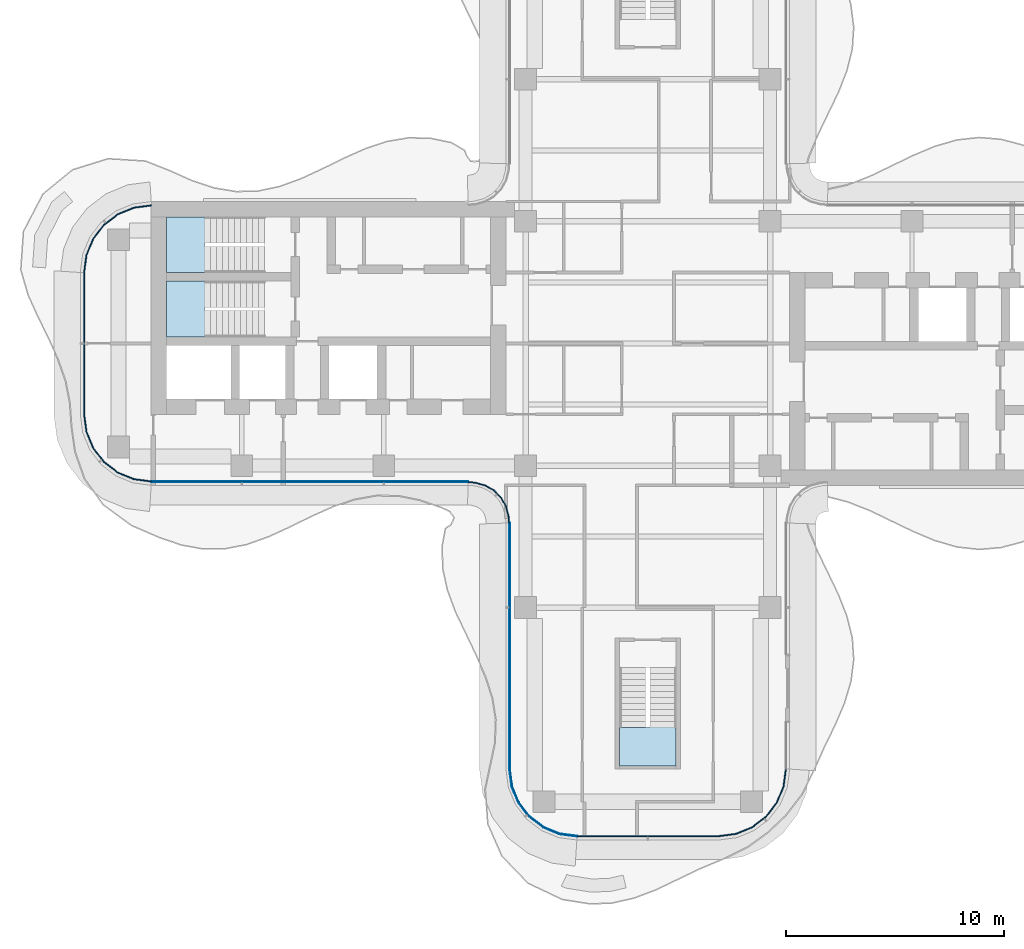
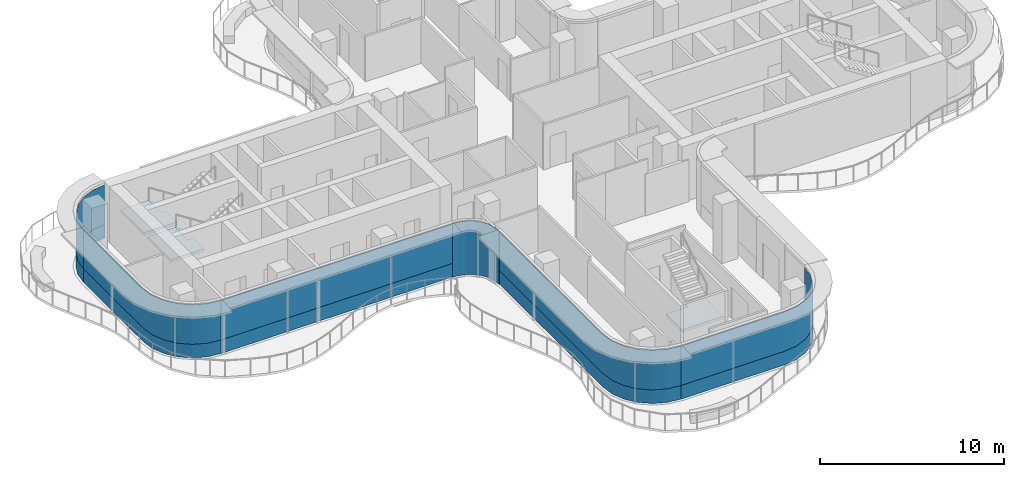
# One storey, part 8 of 16: 11 plates, 3 slabs, 9 elements without a shape of their own.
"""IFC4 building model written with IfcOpenShell, lengths in metres."""

from ifc_helpers import new_model, si_unit, direction, frame, origin, place, context, subcontext, project, spatial, polyline, outline, extrude, source, transform, mapped, material, layer, layer_set, type_object, element, aggregate, save


model = new_model("IFC4")

# Units and contexts
model_context = context("Model", 3, precision=1e-05, world=origin(), true_north=direction((0.0, 1.0)))
body_context = subcontext(model_context, "Body", "Model", "MODEL_VIEW")
ifc_project = project(units=[si_unit("LENGTHUNIT", "METRE"), si_unit("AREAUNIT", "SQUARE_METRE"), si_unit("VOLUMEUNIT", "CUBIC_METRE"), si_unit("PLANEANGLEUNIT", "RADIAN"), si_unit("MASSUNIT", "GRAM", prefix="KILO")], contexts=[model_context])

# Site, building, storey
site_placement = place(None, origin())
site = spatial("IfcSite", under=ifc_project, at=site_placement, CompositionType="ELEMENT")
building_placement = place(site_placement, origin())
building = spatial("IfcBuilding", under=site, at=building_placement, Name="Trellis Farm Tower", CompositionType="ELEMENT")
storey_placement = place(building_placement, frame((0.0, 0.0, 318.39990234375)))
storey = spatial("IfcBuildingStorey", under=building, at=storey_placement, Name="L72", CompositionType="ELEMENT", Elevation=318.39990234375)

# Stair, slab
ifc_material_1 = material(Name="Concrete C50/60", Category="concrete")
stair_type = type_object("IfcStairType", Name="CORE EXIT STAIR 22 RISERS 177 MM", PredefinedType="HALF_TURN_STAIR", material=ifc_material_1)
placement_1 = place(storey_placement, origin())
stair_1 = element("IfcStair", 1, at=placement_1, inside=storey, type_object=stair_type, Name="Exit stair S", PredefinedType="HALF_TURN_STAIR")
ifc_layer_1 = layer(ifc_material_1, 0.18994140625)
ifc_layer_set_1 = layer_set([ifc_layer_1], Name="CORE STAIR LANDING 190 CONCRETE C50/60")
slab_type = type_object("IfcSlabType", Name="CORE STAIR LANDING 190 CONCRETE C50/60", PredefinedType="LANDING", material=ifc_layer_set_1)
shared_shape_1 = source(origin(), body_context, "Body", "SweptSolid", [
    extrude(outline(polyline([(1.300048828125, -19.35009765625), (-1.300048828125, -19.35009765625), (-1.300048828125, -17.60009765625), (-1.300048828125, -17.590087890625), (-0.10009765625, -17.590087890625), (-0.10009765625, -17.60009765625), (0.10009765625, -17.60009765625), (0.10009765625, -17.27197265625), (1.300048828125, -17.27197265625), (1.300048828125, -17.60009765625), (1.300048828125, -19.35009765625)])), origin(), (0.0, 0.0, 1.0), 0.190185546875),
])
placement_2 = place(storey_placement, frame((0.0, 0.0, 1.760009765625)))
slab_1 = element("IfcSlab", 2, at=placement_2, type_object=slab_type, Name="STS landing 1", PredefinedType="LANDING", context=body_context, shape_type="MappedRepresentation", body=[
    mapped(shared_shape_1, transform((0.0, 0.0, 0.0))),
])
aggregate(stair_1, [slab_1])

stair_2 = element("IfcStair", 3, at=placement_1, inside=storey, type_object=stair_type, Name="Exit stair W1", PredefinedType="HALF_TURN_STAIR")
shared_shape_2 = source(origin(), body_context, "Body", "SweptSolid", [
    extrude(outline(polyline([(-19.971923828125, 4.449951171875), (-19.971923828125, 3.25), (-20.300048828125, 3.25), (-22.050048828125, 3.25), (-22.050048828125, 5.800048828125), (-20.300048828125, 5.800048828125), (-20.2900390625, 5.800048828125), (-20.2900390625, 4.60009765625), (-20.300048828125, 4.60009765625), (-20.300048828125, 4.449951171875), (-19.971923828125, 4.449951171875)])), origin(), (0.0, 0.0, 1.0), 0.190185546875),
])
slab_2 = element("IfcSlab", 4, at=placement_2, type_object=slab_type, Name="STW1 landing 1", PredefinedType="LANDING", context=body_context, shape_type="MappedRepresentation", body=[
    mapped(shared_shape_2, transform((0.0, 0.0, 0.0))),
])
aggregate(stair_2, [slab_2])

stair_3 = element("IfcStair", 5, at=placement_1, inside=storey, type_object=stair_type, Name="Exit stair W2", PredefinedType="HALF_TURN_STAIR")
shared_shape_3 = source(origin(), body_context, "Body", "SweptSolid", [
    extrude(outline(polyline([(-19.971923828125, 1.5), (-19.971923828125, 0.300048828125), (-20.300048828125, 0.300048828125), (-22.050048828125, 0.300048828125), (-22.050048828125, 2.85009765625), (-20.300048828125, 2.85009765625), (-20.2900390625, 2.85009765625), (-20.2900390625, 1.64990234375), (-20.300048828125, 1.64990234375), (-20.300048828125, 1.5), (-19.971923828125, 1.5)])), origin(), (0.0, 0.0, 1.0), 0.190185546875),
])
slab_3 = element("IfcSlab", 6, at=placement_2, type_object=slab_type, Name="STW2 landing 1", PredefinedType="LANDING", context=body_context, shape_type="MappedRepresentation", body=[
    mapped(shared_shape_3, transform((0.0, 0.0, 0.0))),
])
aggregate(stair_3, [slab_3])

# Curtain wall, plate
ifc_material_2 = material(Name="Aluminium and glass curtain wall", Category="aluminium")
ifc_layer_2 = layer(ifc_material_2, 0.166015625)
ifc_layer_set_2 = layer_set([ifc_layer_2], Name="WINTER GARDEN CURTAIN WALL CW3")
curtain_wall_type_1 = type_object("IfcCurtainWallType", Name="WINTER GARDEN CURTAIN WALL CW3", PredefinedType="NOTDEFINED", material=ifc_layer_set_2)
curtain_wall_1 = element("IfcCurtainWall", 7, at=placement_1, inside=storey, type_object=curtain_wall_type_1, Name="CW3 001", PredefinedType="NOTDEFINED")
ifc_material_3 = material(Name="Clear insulated glass", Category="glass")
ifc_layer_3 = layer(ifc_material_3, 0.0458984375)
ifc_layer_set_3 = layer_set([ifc_layer_3], Name="CW3 GLASS PANEL 46")
plate_type_1 = type_object("IfcPlateType", Name="CW3 GLASS PANEL 46", PredefinedType="CURTAIN_PANEL", material=ifc_layer_set_3)
shared_shape_4 = source(origin(), body_context, "Body", "SweptSolid", [
    extrude(outline(polyline([(-8.2275390625, -6.3798828125), (-8.0078125, -6.394287109375), (-7.89208984375, -6.40966796875), (-7.462158203125, -6.52490234375), (-7.070556640625, -6.7509765625), (-6.7509765625, -7.070556640625), (-6.52490234375, -7.462158203125), (-6.40966796875, -7.89208984375), (-6.394287109375, -8.0078125), (-6.3798828125, -8.2275390625), (-6.333984375, -8.22607421875), (-6.3486328125, -8.003173828125), (-6.364501953125, -7.883056640625), (-6.48193359375, -7.4443359375), (-6.714111328125, -7.04248046875), (-7.04248046875, -6.714111328125), (-7.4443359375, -6.48193359375), (-7.883056640625, -6.364501953125), (-8.003173828125, -6.3486328125), (-8.22607421875, -6.333984375), (-8.2275390625, -6.3798828125)])), origin(), (0.0, 0.0, 1.0), 3.550048828125),
])
plate_1 = element("IfcPlate", 8, at=placement_1, type_object=plate_type_1, Name="PL3 001", PredefinedType="CURTAIN_PANEL", context=body_context, shape_type="MappedRepresentation", body=[
    mapped(shared_shape_4, transform((0.0, 0.0, 0.0))),
])
aggregate(curtain_wall_1, [plate_1])

# Curtain wall, plates
ifc_layer_4 = layer(ifc_material_2, 0.18994140625)
ifc_layer_set_4 = layer_set([ifc_layer_4], Name="RIBBON CURTAIN WALL CW1")
curtain_wall_type_2 = type_object("IfcCurtainWallType", Name="RIBBON CURTAIN WALL CW1", PredefinedType="NOTDEFINED", material=ifc_layer_set_4)
curtain_wall_2 = element("IfcCurtainWall", 9, at=placement_1, inside=storey, type_object=curtain_wall_type_2, Name="CW1 002", PredefinedType="NOTDEFINED")
ifc_layer_5 = layer(ifc_material_3, 0.0400390625)
ifc_layer_set_5 = layer_set([ifc_layer_5], Name="CW1 GLASS PANEL 40")
plate_type_2 = type_object("IfcPlateType", Name="CW1 GLASS PANEL 40", PredefinedType="CURTAIN_PANEL", material=ifc_layer_set_5)
shared_shape_5 = source(origin(), body_context, "Body", "SweptSolid", [
    extrude(outline(polyline([(-6.35009765625, -8.2265625), (-6.35009765625, -19.490234375), (-6.2431640625, -20.302001953125), (-5.93359375, -21.04931640625), (-5.441162109375, -21.691162109375), (-4.79931640625, -22.18359375), (-4.052001953125, -22.4931640625), (-3.240234375, -22.60009765625), (-3.237548828125, -22.56005859375), (-4.04150390625, -22.4541015625), (-4.779296875, -22.148681640625), (-5.41259765625, -21.66259765625), (-5.898681640625, -21.029296875), (-6.2041015625, -20.29150390625), (-6.31005859375, -19.487548828125), (-6.31005859375, -8.22509765625), (-6.35009765625, -8.2265625)])), origin(), (0.0, 0.0, 1.0), 2.619873046875),
])
placement_3 = place(storey_placement, frame((0.0, 0.0, 0.900146484375)))
plate_2 = element("IfcPlate", 10, at=placement_3, type_object=plate_type_2, Name="PL1 002", PredefinedType="CURTAIN_PANEL", context=body_context, shape_type="MappedRepresentation", body=[
    mapped(shared_shape_5, transform((0.0, 0.0, 0.0))),
])
ifc_material_4 = material(Name="Sandstone faced insulated panel", Category="masonry")
ifc_layer_6 = layer(ifc_material_4, 0.050048828125)
ifc_layer_set_6 = layer_set([ifc_layer_6], Name="CW1 STONE SPANDREL PANEL 50")
plate_type_3 = type_object("IfcPlateType", Name="CW1 STONE SPANDREL PANEL 50", PredefinedType="CURTAIN_PANEL", material=ifc_layer_set_6)
shared_shape_6 = source(origin(), body_context, "Body", "SweptSolid", [
    extrude(outline(polyline([(-6.35009765625, -8.2265625), (-6.35009765625, -19.490234375), (-6.2431640625, -20.302001953125), (-5.93359375, -21.04931640625), (-5.441162109375, -21.691162109375), (-4.79931640625, -22.18359375), (-4.052001953125, -22.4931640625), (-3.240234375, -22.60009765625), (-3.23681640625, -22.550048828125), (-4.0390625, -22.4443359375), (-4.774169921875, -22.139892578125), (-5.405517578125, -21.655517578125), (-5.889892578125, -21.024169921875), (-6.1943359375, -20.2890625), (-6.300048828125, -19.48681640625), (-6.300048828125, -8.224853515625), (-6.35009765625, -8.2265625)])), origin(), (0.0, 0.0, 1.0), 0.900146484375),
])
plate_3 = element("IfcPlate", 11, at=placement_1, type_object=plate_type_3, Name="PS1 002", PredefinedType="CURTAIN_PANEL", context=body_context, shape_type="MappedRepresentation", body=[
    mapped(shared_shape_6, transform((0.0, 0.0, 0.0))),
])
aggregate(curtain_wall_2, [plate_2, plate_3])

curtain_wall_3 = element("IfcCurtainWall", 12, at=placement_1, inside=storey, type_object=curtain_wall_type_2, Name="CW1 003", PredefinedType="NOTDEFINED")
shared_shape_7 = source(origin(), body_context, "Body", "SweptSolid", [
    extrude(outline(polyline([(-3.240234375, -22.60009765625), (3.240234375, -22.60009765625), (4.052001953125, -22.4931640625), (4.79931640625, -22.18359375), (5.441162109375, -21.691162109375), (5.93359375, -21.04931640625), (6.2431640625, -20.302001953125), (6.35009765625, -19.490234375), (6.31005859375, -19.487548828125), (6.2041015625, -20.29150390625), (5.898681640625, -21.029296875), (5.41259765625, -21.66259765625), (4.779296875, -22.148681640625), (4.04150390625, -22.4541015625), (3.237548828125, -22.56005859375), (-3.237548828125, -22.56005859375), (-3.240234375, -22.60009765625)])), origin(), (0.0, 0.0, 1.0), 2.619873046875),
])
plate_4 = element("IfcPlate", 13, at=placement_3, type_object=plate_type_2, Name="PL1 003", PredefinedType="CURTAIN_PANEL", context=body_context, shape_type="MappedRepresentation", body=[
    mapped(shared_shape_7, transform((0.0, 0.0, 0.0))),
])
shared_shape_8 = source(origin(), body_context, "Body", "SweptSolid", [
    extrude(outline(polyline([(-3.240234375, -22.60009765625), (3.240234375, -22.60009765625), (4.052001953125, -22.4931640625), (4.79931640625, -22.18359375), (5.441162109375, -21.691162109375), (5.93359375, -21.04931640625), (6.2431640625, -20.302001953125), (6.35009765625, -19.490234375), (6.300048828125, -19.48681640625), (6.1943359375, -20.2890625), (5.889892578125, -21.024169921875), (5.405517578125, -21.655517578125), (4.774169921875, -22.139892578125), (4.0390625, -22.4443359375), (3.23681640625, -22.550048828125), (-3.23681640625, -22.550048828125), (-3.240234375, -22.60009765625)])), origin(), (0.0, 0.0, 1.0), 0.900146484375),
])
plate_5 = element("IfcPlate", 14, at=placement_1, type_object=plate_type_3, Name="PS1 003", PredefinedType="CURTAIN_PANEL", context=body_context, shape_type="MappedRepresentation", body=[
    mapped(shared_shape_8, transform((0.0, 0.0, 0.0))),
])
aggregate(curtain_wall_3, [plate_4, plate_5])

curtain_wall_4 = element("IfcCurtainWall", 15, at=placement_1, inside=storey, type_object=curtain_wall_type_2, Name="CW1 001", PredefinedType="NOTDEFINED")
shared_shape_9 = source(origin(), body_context, "Body", "SweptSolid", [
    extrude(outline(polyline([(-22.740234375, -6.35009765625), (-8.2265625, -6.35009765625), (-8.22509765625, -6.31005859375), (-22.737548828125, -6.31005859375), (-22.740234375, -6.35009765625)])), origin(), (0.0, 0.0, 1.0), 2.619873046875),
])
plate_6 = element("IfcPlate", 16, at=placement_3, type_object=plate_type_2, Name="PL1 001", PredefinedType="CURTAIN_PANEL", context=body_context, shape_type="MappedRepresentation", body=[
    mapped(shared_shape_9, transform((0.0, 0.0, 0.0))),
])
shared_shape_10 = source(origin(), body_context, "Body", "SweptSolid", [
    extrude(outline(polyline([(-22.740234375, -6.35009765625), (-8.2265625, -6.35009765625), (-8.224853515625, -6.300048828125), (-22.73681640625, -6.300048828125), (-22.740234375, -6.35009765625)])), origin(), (0.0, 0.0, 1.0), 0.900146484375),
])
plate_7 = element("IfcPlate", 17, at=placement_1, type_object=plate_type_3, Name="PS1 001", PredefinedType="CURTAIN_PANEL", context=body_context, shape_type="MappedRepresentation", body=[
    mapped(shared_shape_10, transform((0.0, 0.0, 0.0))),
])
aggregate(curtain_wall_4, [plate_6, plate_7])

curtain_wall_5 = element("IfcCurtainWall", 18, at=placement_1, inside=storey, type_object=curtain_wall_type_2, Name="CW1 013", PredefinedType="NOTDEFINED")
shared_shape_11 = source(origin(), body_context, "Body", "SweptSolid", [
    extrude(outline(polyline([(-22.740234375, 6.35009765625), (-23.552001953125, 6.2431640625), (-24.29931640625, 5.93359375), (-24.941162109375, 5.441162109375), (-25.43359375, 4.79931640625), (-25.7431640625, 4.052001953125), (-25.85009765625, 3.240234375), (-25.81005859375, 3.237548828125), (-25.7041015625, 4.04150390625), (-25.398681640625, 4.779296875), (-24.91259765625, 5.41259765625), (-24.279296875, 5.898681640625), (-23.54150390625, 6.2041015625), (-22.737548828125, 6.31005859375), (-22.740234375, 6.35009765625)])), origin(), (0.0, 0.0, 1.0), 2.619873046875),
])
plate_8 = element("IfcPlate", 19, at=placement_3, type_object=plate_type_2, Name="PL1 013", PredefinedType="CURTAIN_PANEL", context=body_context, shape_type="MappedRepresentation", body=[
    mapped(shared_shape_11, transform((0.0, 0.0, 0.0))),
])
shared_shape_12 = source(origin(), body_context, "Body", "SweptSolid", [
    extrude(outline(polyline([(-22.740234375, 6.35009765625), (-23.552001953125, 6.2431640625), (-24.29931640625, 5.93359375), (-24.941162109375, 5.441162109375), (-25.43359375, 4.79931640625), (-25.7431640625, 4.052001953125), (-25.85009765625, 3.240234375), (-25.800048828125, 3.23681640625), (-25.6943359375, 4.0390625), (-25.389892578125, 4.774169921875), (-24.905517578125, 5.405517578125), (-24.274169921875, 5.889892578125), (-23.5390625, 6.1943359375), (-22.73681640625, 6.300048828125), (-22.740234375, 6.35009765625)])), origin(), (0.0, 0.0, 1.0), 0.900146484375),
])
plate_9 = element("IfcPlate", 20, at=placement_1, type_object=plate_type_3, Name="PS1 013", PredefinedType="CURTAIN_PANEL", context=body_context, shape_type="MappedRepresentation", body=[
    mapped(shared_shape_12, transform((0.0, 0.0, 0.0))),
])
aggregate(curtain_wall_5, [plate_8, plate_9])

curtain_wall_6 = element("IfcCurtainWall", 21, at=placement_1, inside=storey, type_object=curtain_wall_type_2, Name="CW1 014", PredefinedType="NOTDEFINED")
shared_shape_13 = source(origin(), body_context, "Body", "SweptSolid", [
    extrude(outline(polyline([(-25.85009765625, 3.240234375), (-25.85009765625, -3.240234375), (-25.7431640625, -4.052001953125), (-25.43359375, -4.79931640625), (-24.941162109375, -5.441162109375), (-24.29931640625, -5.93359375), (-23.552001953125, -6.2431640625), (-22.740234375, -6.35009765625), (-22.737548828125, -6.31005859375), (-23.54150390625, -6.2041015625), (-24.279296875, -5.898681640625), (-24.91259765625, -5.41259765625), (-25.398681640625, -4.779296875), (-25.7041015625, -4.04150390625), (-25.81005859375, -3.237548828125), (-25.81005859375, 3.237548828125), (-25.85009765625, 3.240234375)])), origin(), (0.0, 0.0, 1.0), 2.619873046875),
])
plate_10 = element("IfcPlate", 22, at=placement_3, type_object=plate_type_2, Name="PL1 014", PredefinedType="CURTAIN_PANEL", context=body_context, shape_type="MappedRepresentation", body=[
    mapped(shared_shape_13, transform((0.0, 0.0, 0.0))),
])
shared_shape_14 = source(origin(), body_context, "Body", "SweptSolid", [
    extrude(outline(polyline([(-25.85009765625, 3.240234375), (-25.85009765625, -3.240234375), (-25.7431640625, -4.052001953125), (-25.43359375, -4.79931640625), (-24.941162109375, -5.441162109375), (-24.29931640625, -5.93359375), (-23.552001953125, -6.2431640625), (-22.740234375, -6.35009765625), (-22.73681640625, -6.300048828125), (-23.5390625, -6.1943359375), (-24.274169921875, -5.889892578125), (-24.905517578125, -5.405517578125), (-25.389892578125, -4.774169921875), (-25.6943359375, -4.0390625), (-25.800048828125, -3.23681640625), (-25.800048828125, 3.23681640625), (-25.85009765625, 3.240234375)])), origin(), (0.0, 0.0, 1.0), 0.900146484375),
])
plate_11 = element("IfcPlate", 23, at=placement_1, type_object=plate_type_3, Name="PS1 014", PredefinedType="CURTAIN_PANEL", context=body_context, shape_type="MappedRepresentation", body=[
    mapped(shared_shape_14, transform((0.0, 0.0, 0.0))),
])
aggregate(curtain_wall_6, [plate_10, plate_11])

save(model, "model.ifc")
